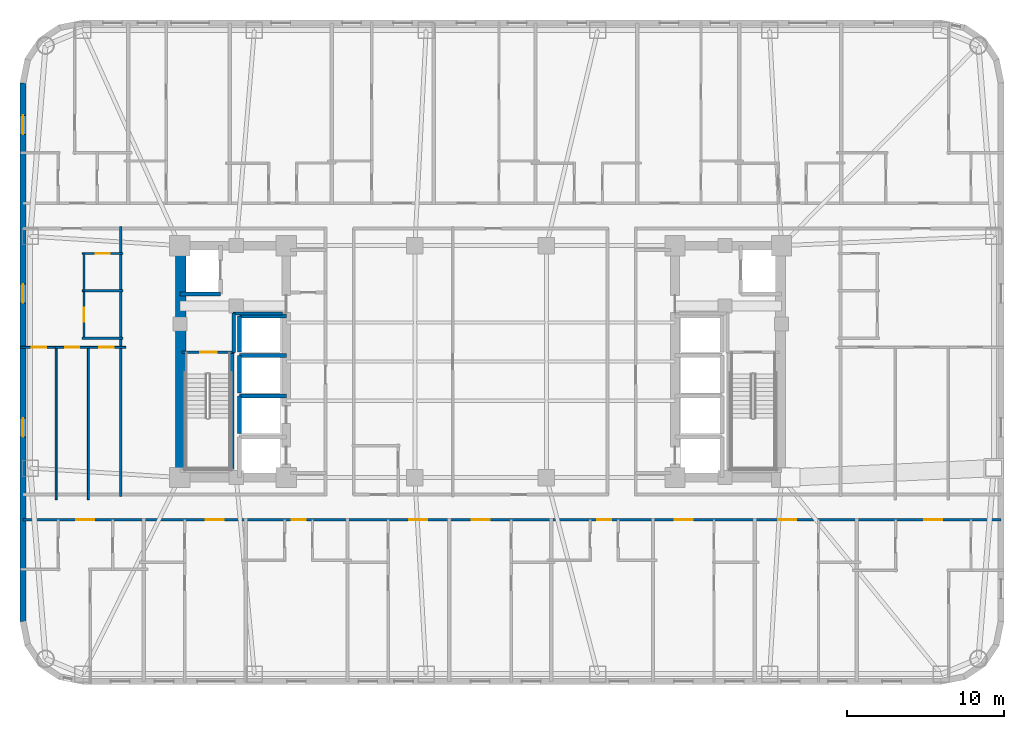
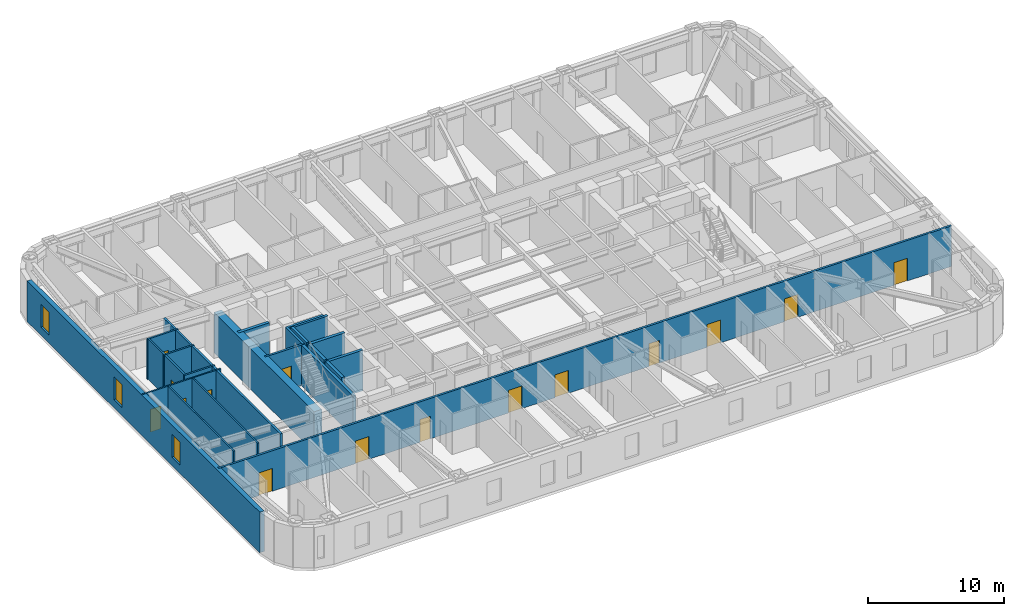
# One storey, part 5 of 12: 25 walls, 15 doors, 3 windows, 18 openings.
"""IFC4 building model written with IfcOpenShell, lengths in metres."""

from ifc_helpers import new_model, si_unit, direction, frame, frame_2d, origin, place, context, subcontext, project, spatial, rectangle, extrude, material, layer, layer_set, type_object, element, fill, save


model = new_model("IFC4")

# Units and contexts
model_context = context("Model", 3, precision=1e-05, world=origin(), true_north=direction((0.0, 1.0)))
body_context = subcontext(model_context, "Body", "Model", "MODEL_VIEW")
ifc_project = project(units=[si_unit("LENGTHUNIT", "METRE"), si_unit("AREAUNIT", "SQUARE_METRE"), si_unit("VOLUMEUNIT", "CUBIC_METRE"), si_unit("PLANEANGLEUNIT", "RADIAN"), si_unit("MASSUNIT", "GRAM", prefix="KILO")], contexts=[model_context])

# Site, building, storey
site_placement = place(None, origin())
site = spatial("IfcSite", under=ifc_project, at=site_placement, CompositionType="ELEMENT")
building_placement = place(site_placement, origin())
building = spatial("IfcBuilding", under=site, at=building_placement, Name="Voryun Gate Residences", CompositionType="ELEMENT")
storey_placement = place(building_placement, frame((0.0, 0.0, 128.699951171875)))
storey = spatial("IfcBuildingStorey", under=building, at=storey_placement, Name="L31", CompositionType="ELEMENT", Elevation=128.699951171875)

# Wall
ifc_material_1 = material(Name="Concrete C60/75", Category="concrete")
ifc_layer_1 = layer(ifc_material_1, 0.64990234375, Name="CW_CORE_650")
ifc_layer_set_1 = layer_set([ifc_layer_1], Name="Concrete C60/75")
wall_type_1 = type_object("IfcWallType", Name="CW_CORE_650", PredefinedType="SHEAR", material=ifc_layer_set_1)
wall_1_placement = place(storey_placement, frame((-19.14501953125, -7.39990234375, 0.0), z_axis=(0.0, 0.0, 1.0), x_axis=(0.0, 1.0, 0.0)))
element("IfcWall", 1, at=wall_1_placement, inside=storey, type_object=wall_type_1, Name="L31 Core shear wall CW-L31-WW", PredefinedType="SHEAR", context=body_context, shape_type="SweptSolid", body=[
    extrude(rectangle(XDim=14.7998046875, YDim=0.64990234375, at=frame_2d((7.39990234375, 0.0))), origin(), (0.0, 0.0, 1.0), 3.650146484375),
])

# Wall, opening, door
ifc_material_2 = material(Name="Gypsum acoustic fireboard")
ifc_layer_2 = layer(ifc_material_2, 0.179931640625, Name="W_CORR_RATED_180")
ifc_layer_set_2 = layer_set([ifc_layer_2], Name="Gypsum acoustic fireboard")
wall_type_2 = type_object("IfcWallType", Name="W_CORR_RATED_180", PredefinedType="PARTITIONING", material=ifc_layer_set_2)
wall_2_placement = place(storey_placement, frame((-19.06005859375, 0.60009765625, 0.0), z_axis=(0.0, 0.0, 1.0), x_axis=(1.0, 0.0, 0.0)))
wall_2 = element("IfcWall", 2, at=wall_2_placement, inside=storey, type_object=wall_type_2, Name="Partition wall WP-L31-STV-W", PredefinedType="PARTITIONING", context=body_context, shape_type="SweptSolid", body=[
    extrude(rectangle(XDim=3.360107421875, YDim=0.179931640625, at=frame_2d((1.68017578125, 0.0))), origin(), (0.0, 0.0, 1.0), 3.650146484375),
])
opening_1_placement = place(wall_2_placement, frame((1.155029296875, 0.0, 0.0)))
opening_1 = element("IfcOpeningElement", 3, at=opening_1_placement, cuts=wall_2, Name="Opening D-FD60-1", PredefinedType="OPENING", context=body_context, shape_type="SweptSolid", body=[
    extrude(rectangle(XDim=1.050048828125, YDim=2.050048828125, at=frame_2d((0.52490234375, 1.02490234375))), frame((0.0, 0.099853515625, 0.0), z_axis=(0.0, -1.0, 0.0), x_axis=(1.0, 0.0, 0.0)), (0.0, 0.0, 1.0), 0.199951171875),
])
ifc_material_3 = material(Name="Painted steel fire door", Category="steel")
door_type_1 = type_object("IfcDoorType", Name="DR_FD60_STAIR_1050", OperationType="NOTDEFINED", PredefinedType="DOOR", material=ifc_material_3)
door_1_placement = place(opening_1_placement, origin())
door_1 = element("IfcDoor", 4, at=door_1_placement, inside=storey, type_object=door_type_1, Name="Door DR-L31-ST-W", OperationType="SINGLE_SWING_LEFT", OverallHeight=2.050048828125, OverallWidth=1.050048828125, PredefinedType="DOOR", context=body_context, shape_type="SweptSolid", body=[
    extrude(rectangle(XDim=1.050048828125, YDim=2.050048828125, at=frame_2d((0.52490234375, 1.02490234375))), frame((0.0, 0.02490234375, 0.0), z_axis=(0.0, -1.0, 0.0), x_axis=(1.0, 0.0, 0.0)), (0.0, 0.0, 1.0), 0.050048828125),
])
fill(opening_1, door_1)

# Wall, openings, doors
wall_3_placement = place(storey_placement, frame((-29.2099609375, -10.10009765625, 0.0), z_axis=(0.0, 0.0, 1.0), x_axis=(1.0, 0.0, 0.0)))
wall_3 = element("IfcWall", 5, at=wall_3_placement, inside=storey, type_object=wall_type_2, Name="Partition wall WP-L31-SCORR", PredefinedType="PARTITIONING", context=body_context, shape_type="SweptSolid", body=[
    extrude(rectangle(XDim=62.419921875, YDim=0.179931640625, at=frame_2d((31.2099609375, 0.0))), origin(), (0.0, 0.0, 1.0), 3.650146484375),
])
opening_2_placement = place(wall_3_placement, frame((3.41357421875, 0.0, 0.0)))
opening_2 = element("IfcOpeningElement", 6, at=opening_2_placement, cuts=wall_3, Name="Opening D-UNIT-1", PredefinedType="OPENING", context=body_context, shape_type="SweptSolid", body=[
    extrude(rectangle(XDim=1.14990234375, YDim=2.050048828125, at=frame_2d((0.574951171875, 1.02490234375))), frame((0.0, 0.099853515625, 0.0), z_axis=(0.0, -1.0, 0.0), x_axis=(1.0, 0.0, 0.0)), (0.0, 0.0, 1.0), 0.199951171875),
])
opening_3_placement = place(wall_3_placement, frame((11.6591796875, 0.0, 0.0)))
opening_3 = element("IfcOpeningElement", 7, at=opening_3_placement, cuts=wall_3, Name="Opening D-UNIT-1", PredefinedType="OPENING", context=body_context, shape_type="SweptSolid", body=[
    extrude(rectangle(XDim=1.14990234375, YDim=2.050048828125, at=frame_2d((0.574951171875, 1.02490234375))), frame((0.0, 0.099853515625, 0.0), z_axis=(0.0, -1.0, 0.0), x_axis=(1.0, 0.0, 0.0)), (0.0, 0.0, 1.0), 0.199951171875),
])
opening_4_placement = place(wall_3_placement, frame((17.139892578125, 0.0, 0.0)))
opening_4 = element("IfcOpeningElement", 8, at=opening_4_placement, cuts=wall_3, Name="Opening D-INT-2", PredefinedType="OPENING", context=body_context, shape_type="SweptSolid", body=[
    extrude(rectangle(XDim=0.89990234375, YDim=2.050048828125, at=frame_2d((0.449951171875, 1.02490234375))), frame((0.0, 0.099853515625, 0.0), z_axis=(0.0, -1.0, 0.0), x_axis=(1.0, 0.0, 0.0)), (0.0, 0.0, 1.0), 0.199951171875),
])
opening_5_placement = place(wall_3_placement, frame((24.661376953125, 0.0, 0.0)))
opening_5 = element("IfcOpeningElement", 9, at=opening_5_placement, cuts=wall_3, Name="Opening D-UNIT-1", PredefinedType="OPENING", context=body_context, shape_type="SweptSolid", body=[
    extrude(rectangle(XDim=1.14990234375, YDim=2.050048828125, at=frame_2d((0.574951171875, 1.02490234375))), frame((0.0, 0.099853515625, 0.0), z_axis=(0.0, -1.0, 0.0), x_axis=(1.0, 0.0, 0.0)), (0.0, 0.0, 1.0), 0.199951171875),
])
opening_6_placement = place(wall_3_placement, frame((28.643798828125, 0.0, 0.0)))
opening_6 = element("IfcOpeningElement", 10, at=opening_6_placement, cuts=wall_3, Name="Opening D-UNIT-1", PredefinedType="OPENING", context=body_context, shape_type="SweptSolid", body=[
    extrude(rectangle(XDim=1.14990234375, YDim=2.050048828125, at=frame_2d((0.574951171875, 1.02490234375))), frame((0.0, 0.099853515625, 0.0), z_axis=(0.0, -1.0, 0.0), x_axis=(1.0, 0.0, 0.0)), (0.0, 0.0, 1.0), 0.199951171875),
])
opening_7_placement = place(wall_3_placement, frame((36.639892578125, 0.0, 0.0)))
opening_7 = element("IfcOpeningElement", 11, at=opening_7_placement, cuts=wall_3, Name="Opening D-INT-2", PredefinedType="OPENING", context=body_context, shape_type="SweptSolid", body=[
    extrude(rectangle(XDim=0.89990234375, YDim=2.050048828125, at=frame_2d((0.449951171875, 1.02490234375))), frame((0.0, 0.099853515625, 0.0), z_axis=(0.0, -1.0, 0.0), x_axis=(1.0, 0.0, 0.0)), (0.0, 0.0, 1.0), 0.199951171875),
])
opening_8_placement = place(wall_3_placement, frame((41.6083984375, 0.0, 0.0)))
opening_8 = element("IfcOpeningElement", 12, at=opening_8_placement, cuts=wall_3, Name="Opening D-UNIT-1", PredefinedType="OPENING", context=body_context, shape_type="SweptSolid", body=[
    extrude(rectangle(XDim=1.14990234375, YDim=2.050048828125, at=frame_2d((0.574951171875, 1.02490234375))), frame((0.0, 0.099853515625, 0.0), z_axis=(0.0, -1.0, 0.0), x_axis=(1.0, 0.0, 0.0)), (0.0, 0.0, 1.0), 0.199951171875),
])
opening_9_placement = place(wall_3_placement, frame((48.193603515625, 0.0, 0.0)))
opening_9 = element("IfcOpeningElement", 13, at=opening_9_placement, cuts=wall_3, Name="Opening D-UNIT-1", PredefinedType="OPENING", context=body_context, shape_type="SweptSolid", body=[
    extrude(rectangle(XDim=1.14990234375, YDim=2.050048828125, at=frame_2d((0.574951171875, 1.02490234375))), frame((0.0, 0.099853515625, 0.0), z_axis=(0.0, -1.0, 0.0), x_axis=(1.0, 0.0, 0.0)), (0.0, 0.0, 1.0), 0.199951171875),
])
opening_10_placement = place(wall_3_placement, frame((57.525390625, 0.0, 0.0)))
opening_10 = element("IfcOpeningElement", 14, at=opening_10_placement, cuts=wall_3, Name="Opening D-UNIT-1", PredefinedType="OPENING", context=body_context, shape_type="SweptSolid", body=[
    extrude(rectangle(XDim=1.14990234375, YDim=2.050048828125, at=frame_2d((0.574951171875, 1.02490234375))), frame((0.0, 0.099853515625, 0.0), z_axis=(0.0, -1.0, 0.0), x_axis=(1.0, 0.0, 0.0)), (0.0, 0.0, 1.0), 0.199951171875),
])
ifc_material_4 = material(Name="Architectural oak veneer")
door_type_2 = type_object("IfcDoorType", Name="DR_INT_BATH_900", OperationType="NOTDEFINED", PredefinedType="DOOR", material=ifc_material_4)
door_2_placement = place(opening_4_placement, origin())
door_2 = element("IfcDoor", 15, at=door_2_placement, inside=storey, type_object=door_type_2, Name="Door DR-L31-SENT-3", OperationType="SINGLE_SWING_RIGHT", OverallHeight=2.050048828125, OverallWidth=0.89990234375, PredefinedType="DOOR", context=body_context, shape_type="SweptSolid", body=[
    extrude(rectangle(XDim=0.89990234375, YDim=2.050048828125, at=frame_2d((0.449951171875, 1.02490234375))), frame((0.0, 0.02490234375, 0.0), z_axis=(0.0, -1.0, 0.0), x_axis=(1.0, 0.0, 0.0)), (0.0, 0.0, 1.0), 0.050048828125),
])
fill(opening_4, door_2)
door_3_placement = place(opening_7_placement, origin())
door_3 = element("IfcDoor", 16, at=door_3_placement, inside=storey, type_object=door_type_2, Name="Door DR-L31-SENT-6", OperationType="SINGLE_SWING_LEFT", OverallHeight=2.050048828125, OverallWidth=0.89990234375, PredefinedType="DOOR", context=body_context, shape_type="SweptSolid", body=[
    extrude(rectangle(XDim=0.89990234375, YDim=2.050048828125, at=frame_2d((0.449951171875, 1.02490234375))), frame((0.0, 0.02490234375, 0.0), z_axis=(0.0, -1.0, 0.0), x_axis=(1.0, 0.0, 0.0)), (0.0, 0.0, 1.0), 0.050048828125),
])
fill(opening_7, door_3)
ifc_material_5 = material(Name="Armoured timber-clad fire door", Category="wood")
door_type_3 = type_object("IfcDoorType", Name="DR_UNIT_ENTRY_1150", OperationType="NOTDEFINED", PredefinedType="DOOR", material=ifc_material_5)
door_4_placement = place(opening_2_placement, origin())
door_4 = element("IfcDoor", 17, at=door_4_placement, inside=storey, type_object=door_type_3, Name="Door DR-L31-SENT-1", OperationType="SINGLE_SWING_RIGHT", OverallHeight=2.050048828125, OverallWidth=1.14990234375, PredefinedType="DOOR", context=body_context, shape_type="SweptSolid", body=[
    extrude(rectangle(XDim=1.14990234375, YDim=2.050048828125, at=frame_2d((0.574951171875, 1.02490234375))), frame((0.0, 0.02490234375, 0.0), z_axis=(0.0, -1.0, 0.0), x_axis=(1.0, 0.0, 0.0)), (0.0, 0.0, 1.0), 0.050048828125),
])
fill(opening_2, door_4)
door_5_placement = place(opening_3_placement, origin())
door_5 = element("IfcDoor", 18, at=door_5_placement, inside=storey, type_object=door_type_3, Name="Door DR-L31-SENT-2", OperationType="SINGLE_SWING_LEFT", OverallHeight=2.050048828125, OverallWidth=1.14990234375, PredefinedType="DOOR", context=body_context, shape_type="SweptSolid", body=[
    extrude(rectangle(XDim=1.14990234375, YDim=2.050048828125, at=frame_2d((0.574951171875, 1.02490234375))), frame((0.0, 0.02490234375, 0.0), z_axis=(0.0, -1.0, 0.0), x_axis=(1.0, 0.0, 0.0)), (0.0, 0.0, 1.0), 0.050048828125),
])
fill(opening_3, door_5)
door_6_placement = place(opening_5_placement, origin())
door_6 = element("IfcDoor", 19, at=door_6_placement, inside=storey, type_object=door_type_3, Name="Door DR-L31-SENT-4", OperationType="SINGLE_SWING_LEFT", OverallHeight=2.050048828125, OverallWidth=1.14990234375, PredefinedType="DOOR", context=body_context, shape_type="SweptSolid", body=[
    extrude(rectangle(XDim=1.14990234375, YDim=2.050048828125, at=frame_2d((0.574951171875, 1.02490234375))), frame((0.0, 0.02490234375, 0.0), z_axis=(0.0, -1.0, 0.0), x_axis=(1.0, 0.0, 0.0)), (0.0, 0.0, 1.0), 0.050048828125),
])
fill(opening_5, door_6)
door_7_placement = place(opening_6_placement, origin())
door_7 = element("IfcDoor", 20, at=door_7_placement, inside=storey, type_object=door_type_3, Name="Door DR-L31-SENT-5", OperationType="SINGLE_SWING_RIGHT", OverallHeight=2.050048828125, OverallWidth=1.14990234375, PredefinedType="DOOR", context=body_context, shape_type="SweptSolid", body=[
    extrude(rectangle(XDim=1.14990234375, YDim=2.050048828125, at=frame_2d((0.574951171875, 1.02490234375))), frame((0.0, 0.02490234375, 0.0), z_axis=(0.0, -1.0, 0.0), x_axis=(1.0, 0.0, 0.0)), (0.0, 0.0, 1.0), 0.050048828125),
])
fill(opening_6, door_7)
door_8_placement = place(opening_8_placement, origin())
door_8 = element("IfcDoor", 21, at=door_8_placement, inside=storey, type_object=door_type_3, Name="Door DR-L31-SENT-7", OperationType="SINGLE_SWING_RIGHT", OverallHeight=2.050048828125, OverallWidth=1.14990234375, PredefinedType="DOOR", context=body_context, shape_type="SweptSolid", body=[
    extrude(rectangle(XDim=1.14990234375, YDim=2.050048828125, at=frame_2d((0.574951171875, 1.02490234375))), frame((0.0, 0.02490234375, 0.0), z_axis=(0.0, -1.0, 0.0), x_axis=(1.0, 0.0, 0.0)), (0.0, 0.0, 1.0), 0.050048828125),
])
fill(opening_8, door_8)
door_9_placement = place(opening_9_placement, origin())
door_9 = element("IfcDoor", 22, at=door_9_placement, inside=storey, type_object=door_type_3, Name="Door DR-L31-SENT-8", OperationType="SINGLE_SWING_LEFT", OverallHeight=2.050048828125, OverallWidth=1.14990234375, PredefinedType="DOOR", context=body_context, shape_type="SweptSolid", body=[
    extrude(rectangle(XDim=1.14990234375, YDim=2.050048828125, at=frame_2d((0.574951171875, 1.02490234375))), frame((0.0, 0.02490234375, 0.0), z_axis=(0.0, -1.0, 0.0), x_axis=(1.0, 0.0, 0.0)), (0.0, 0.0, 1.0), 0.050048828125),
])
fill(opening_9, door_9)
door_10_placement = place(opening_10_placement, origin())
door_10 = element("IfcDoor", 23, at=door_10_placement, inside=storey, type_object=door_type_3, Name="Door DR-L31-SENT-9", OperationType="SINGLE_SWING_RIGHT", OverallHeight=2.050048828125, OverallWidth=1.14990234375, PredefinedType="DOOR", context=body_context, shape_type="SweptSolid", body=[
    extrude(rectangle(XDim=1.14990234375, YDim=2.050048828125, at=frame_2d((0.574951171875, 1.02490234375))), frame((0.0, 0.02490234375, 0.0), z_axis=(0.0, -1.0, 0.0), x_axis=(1.0, 0.0, 0.0)), (0.0, 0.0, 1.0), 0.050048828125),
])
fill(opening_10, door_10)

# Wall
wall_4_placement = place(storey_placement, frame((-22.969970703125, -8.610107421875, 0.0), z_axis=(0.0, 0.0, 1.0), x_axis=(0.0, 1.0, 0.0)))
element("IfcWall", 24, at=wall_4_placement, inside=storey, type_object=wall_type_2, Name="Partition wall WP-L31-WCOR", PredefinedType="PARTITIONING", context=body_context, shape_type="SweptSolid", body=[
    extrude(rectangle(XDim=17.22021484375, YDim=0.179931640625, at=frame_2d((8.610107421875, 0.0))), origin(), (0.0, 0.0, 1.0), 3.650146484375),
])

# Wall, openings, windows
ifc_material_6 = material(Name="Granite masonry", Category="masonry")
ifc_layer_3 = layer(ifc_material_6, 0.3798828125, Name="W_EXT_GRANITE_380")
ifc_layer_set_3 = layer_set([ifc_layer_3], Name="Granite masonry")
wall_type_3 = type_object("IfcWallType", Name="W_EXT_GRANITE_380", PredefinedType="ELEMENTEDWALL", material=ifc_layer_set_3)
wall_5_placement = place(storey_placement, frame((-29.2099609375, -16.581298828125, 0.0), z_axis=(0.0, 0.0, 1.0), x_axis=(0.0, 1.0, 0.0)))
wall_5 = element("IfcWall", 25, at=wall_5_placement, inside=storey, type_object=wall_type_3, Name="Exterior wall WEXT-L31-06", PredefinedType="ELEMENTEDWALL", context=body_context, shape_type="SweptSolid", body=[
    extrude(rectangle(XDim=34.362548828125, YDim=0.3798828125, at=frame_2d((17.18115234375, 0.0))), origin(), (0.0, 0.0, 1.0), 3.650146484375),
])
opening_11_placement = place(wall_5_placement, frame((31.0869140625, 0.0, 0.75)))
opening_11 = element("IfcOpeningElement", 26, at=opening_11_placement, cuts=wall_5, Name="Opening WN6", PredefinedType="OPENING", context=body_context, shape_type="SweptSolid", body=[
    extrude(rectangle(XDim=1.199951171875, YDim=2.050048828125, at=frame_2d((0.60009765625, 1.02490234375))), frame((0.0, 0.199951171875, 0.0), z_axis=(0.0, -1.0, 0.0), x_axis=(1.0, 0.0, 0.0)), (0.0, 0.0, 1.0), 0.39990234375),
])
opening_12_placement = place(wall_5_placement, frame((20.326416015625, 0.0, 0.75)))
opening_12 = element("IfcOpeningElement", 27, at=opening_12_placement, cuts=wall_5, Name="Opening WN6", PredefinedType="OPENING", context=body_context, shape_type="SweptSolid", body=[
    extrude(rectangle(XDim=1.199951171875, YDim=2.050048828125, at=frame_2d((0.60009765625, 1.02490234375))), frame((0.0, 0.199951171875, 0.0), z_axis=(0.0, -1.0, 0.0), x_axis=(1.0, 0.0, 0.0)), (0.0, 0.0, 1.0), 0.39990234375),
])
opening_13_placement = place(wall_5_placement, frame((11.7763671875, 0.0, 0.75)))
opening_13 = element("IfcOpeningElement", 28, at=opening_13_placement, cuts=wall_5, Name="Opening WN6", PredefinedType="OPENING", context=body_context, shape_type="SweptSolid", body=[
    extrude(rectangle(XDim=1.199951171875, YDim=2.050048828125, at=frame_2d((0.60009765625, 1.02490234375))), frame((0.0, 0.199951171875, 0.0), z_axis=(0.0, -1.0, 0.0), x_axis=(1.0, 0.0, 0.0)), (0.0, 0.0, 1.0), 0.39990234375),
])
ifc_material_7 = material(Name="Laminated low-E glass", Category="glass")
window_type = type_object("IfcWindowType", Name="WN_POD_SLOT_1200", PartitioningType="SINGLE_PANEL", PredefinedType="WINDOW", material=ifc_material_7)
window_1_placement = place(opening_11_placement, origin())
window_1 = element("IfcWindow", 29, at=window_1_placement, inside=storey, type_object=window_type, Name="Window WN-L31-DWFIX-01", OverallHeight=2.050048828125, OverallWidth=1.199951171875, PartitioningType="SINGLE_PANEL", PredefinedType="WINDOW", context=body_context, shape_type="SweptSolid", body=[
    extrude(rectangle(XDim=1.199951171875, YDim=2.050048828125, at=frame_2d((0.60009765625, 1.02490234375))), frame((0.0, 0.030029296875, 0.0), z_axis=(0.0, -1.0, 0.0), x_axis=(1.0, 0.0, 0.0)), (0.0, 0.0, 1.0), 0.06005859375),
])
fill(opening_11, window_1)
window_2_placement = place(opening_12_placement, origin())
window_2 = element("IfcWindow", 30, at=window_2_placement, inside=storey, type_object=window_type, Name="Window WN-L31-DWFIX-29", OverallHeight=2.050048828125, OverallWidth=1.199951171875, PartitioningType="SINGLE_PANEL", PredefinedType="WINDOW", context=body_context, shape_type="SweptSolid", body=[
    extrude(rectangle(XDim=1.199951171875, YDim=2.050048828125, at=frame_2d((0.60009765625, 1.02490234375))), frame((0.0, 0.030029296875, 0.0), z_axis=(0.0, -1.0, 0.0), x_axis=(1.0, 0.0, 0.0)), (0.0, 0.0, 1.0), 0.06005859375),
])
fill(opening_12, window_2)
window_3_placement = place(opening_13_placement, origin())
window_3 = element("IfcWindow", 31, at=window_3_placement, inside=storey, type_object=window_type, Name="Window WN-L31-DWFIX-30", OverallHeight=2.050048828125, OverallWidth=1.199951171875, PartitioningType="SINGLE_PANEL", PredefinedType="WINDOW", context=body_context, shape_type="SweptSolid", body=[
    extrude(rectangle(XDim=1.199951171875, YDim=2.050048828125, at=frame_2d((0.60009765625, 1.02490234375))), frame((0.0, 0.030029296875, 0.0), z_axis=(0.0, -1.0, 0.0), x_axis=(1.0, 0.0, 0.0)), (0.0, 0.0, 1.0), 0.06005859375),
])
fill(opening_13, window_3)

# Walls
ifc_material_8 = material(Name="Concrete C40/50", Category="concrete")
ifc_layer_4 = layer(ifc_material_8, 0.199951171875, Name="W_FF_LOBBY_200")
ifc_layer_set_4 = layer_set([ifc_layer_4], Name="Concrete C40/50")
wall_type_4 = type_object("IfcWallType", Name="W_FF_LOBBY_200", PredefinedType="PARTITIONING", material=ifc_layer_set_4)
wall_6_placement = place(storey_placement, frame((-15.760009765625, 0.580078125, 0.0), z_axis=(0.0, 0.0, 1.0), x_axis=(0.0, 1.0, 0.0)))
element("IfcWall", 32, at=wall_6_placement, inside=storey, type_object=wall_type_4, Name="Partition wall WP-L31-FFP0-W", PredefinedType="PARTITIONING", context=body_context, shape_type="SweptSolid", body=[
    extrude(rectangle(XDim=2.52001953125, YDim=0.199951171875, at=frame_2d((1.260009765625, 0.0))), origin(), (0.0, 0.0, 1.0), 3.650146484375),
])
wall_7_placement = place(storey_placement, frame((-15.820068359375, 3.06005859375, 0.0), z_axis=(0.0, 0.0, 1.0), x_axis=(1.0, 0.0, 0.0)))
element("IfcWall", 33, at=wall_7_placement, inside=storey, type_object=wall_type_4, Name="Partition wall WP-L31-FFPS-W", PredefinedType="PARTITIONING", context=body_context, shape_type="SweptSolid", body=[
    extrude(rectangle(XDim=3.16015625, YDim=0.199951171875, at=frame_2d((1.580078125, 0.0))), origin(), (0.0, 0.0, 1.0), 3.650146484375),
])
ifc_material_9 = material(Name="Concrete C50/60", Category="concrete")
ifc_layer_5 = layer(ifc_material_9, 0.25, Name="W_SHAFT_RC250")
ifc_layer_set_5 = layer_set([ifc_layer_5], Name="Concrete C50/60")
wall_type_5 = type_object("IfcWallType", Name="W_SHAFT_RC250", PredefinedType="SOLIDWALL", material=ifc_layer_set_5)
wall_8_placement = place(storey_placement, frame((-15.860107421875, -7.0849609375, 0.0), z_axis=(0.0, 0.0, 1.0), x_axis=(0.0, 1.0, 0.0)))
element("IfcWall", 34, at=wall_8_placement, inside=storey, type_object=wall_type_5, Name="L31 Stair shaft structural wall W-STR", PredefinedType="SOLIDWALL", context=body_context, shape_type="SweptSolid", body=[
    extrude(rectangle(XDim=7.68505859375, YDim=0.25, at=frame_2d((3.842529296875, 0.0))), origin(), (0.0, 0.0, 1.0), 3.650146484375),
])
wall_9_placement = place(storey_placement, frame((-19.199951171875, 4.300048828125, 0.0), z_axis=(0.0, 0.0, 1.0), x_axis=(1.0, 0.0, 0.0)))
element("IfcWall", 35, at=wall_9_placement, inside=storey, type_object=wall_type_5, Name="Lift shaft wall WSH-L31-EL-FF-W1-S", PredefinedType="SOLIDWALL", context=body_context, shape_type="SweptSolid", body=[
    extrude(rectangle(XDim=2.599853515625, YDim=0.25, at=frame_2d((1.2998046875, 0.0))), origin(), (0.0, 0.0, 1.0), 3.650146484375),
])
wall_10_placement = place(storey_placement, frame((-12.39990234375, -2.199951171875, 0.0), z_axis=(0.0, 0.0, 1.0), x_axis=(-1.0, 0.0, 0.0)))
element("IfcWall", 36, at=wall_10_placement, inside=storey, type_object=wall_type_5, Name="Lift shaft wall WSH-L31-EL-P2-N", PredefinedType="SOLIDWALL", context=body_context, shape_type="SweptSolid", body=[
    extrude(rectangle(XDim=3.0, YDim=0.25, at=frame_2d((1.5, 0.0))), origin(), (0.0, 0.0, 1.0), 3.650146484375),
])
wall_11_placement = place(storey_placement, frame((-15.39990234375, -2.199951171875, 0.0), z_axis=(0.0, 0.0, 1.0), x_axis=(0.0, -1.0, 0.0)))
element("IfcWall", 37, at=wall_11_placement, inside=storey, type_object=wall_type_5, Name="Lift shaft wall WSH-L31-EL-P2-W", PredefinedType="SOLIDWALL", context=body_context, shape_type="SweptSolid", body=[
    extrude(rectangle(XDim=2.400146484375, YDim=0.25, at=frame_2d((1.2001953125, 0.0))), origin(), (0.0, 0.0, 1.0), 3.650146484375),
])
wall_12_placement = place(storey_placement, frame((-12.39990234375, 0.39990234375, 0.0), z_axis=(0.0, 0.0, 1.0), x_axis=(-1.0, 0.0, 0.0)))
element("IfcWall", 38, at=wall_12_placement, inside=storey, type_object=wall_type_5, Name="Lift shaft wall WSH-L31-EL-P4-N", PredefinedType="SOLIDWALL", context=body_context, shape_type="SweptSolid", body=[
    extrude(rectangle(XDim=3.0, YDim=0.25, at=frame_2d((1.5, 0.0))), origin(), (0.0, 0.0, 1.0), 3.650146484375),
])
wall_13_placement = place(storey_placement, frame((-15.39990234375, 0.39990234375, 0.0), z_axis=(0.0, 0.0, 1.0), x_axis=(0.0, -1.0, 0.0)))
element("IfcWall", 39, at=wall_13_placement, inside=storey, type_object=wall_type_5, Name="Lift shaft wall WSH-L31-EL-P4-W", PredefinedType="SOLIDWALL", context=body_context, shape_type="SweptSolid", body=[
    extrude(rectangle(XDim=2.39990234375, YDim=0.25, at=frame_2d((1.199951171875, 0.0))), origin(), (0.0, 0.0, 1.0), 3.650146484375),
])
wall_14_placement = place(storey_placement, frame((-12.39990234375, 2.89990234375, 0.0), z_axis=(0.0, 0.0, 1.0), x_axis=(-1.0, 0.0, 0.0)))
element("IfcWall", 40, at=wall_14_placement, inside=storey, type_object=wall_type_5, Name="Lift shaft wall WSH-L31-EL-P7-N", PredefinedType="SOLIDWALL", context=body_context, shape_type="SweptSolid", body=[
    extrude(rectangle(XDim=3.0, YDim=0.25, at=frame_2d((1.5, 0.0))), origin(), (0.0, 0.0, 1.0), 3.650146484375),
])
wall_15_placement = place(storey_placement, frame((-15.39990234375, 2.89990234375, 0.0), z_axis=(0.0, 0.0, 1.0), x_axis=(0.0, -1.0, 0.0)))
element("IfcWall", 41, at=wall_15_placement, inside=storey, type_object=wall_type_5, Name="Lift shaft wall WSH-L31-EL-P7-W", PredefinedType="SOLIDWALL", context=body_context, shape_type="SweptSolid", body=[
    extrude(rectangle(XDim=2.2998046875, YDim=0.25, at=frame_2d((1.14990234375, 0.0))), origin(), (0.0, 0.0, 1.0), 3.650146484375),
])

# Wall, opening, door
ifc_material_10 = material(Name="Gypsum acoustic partition")
ifc_layer_6 = layer(ifc_material_10, 0.125, Name="W_UNIT_PART_125")
ifc_layer_set_6 = layer_set([ifc_layer_6], Name="Gypsum acoustic partition")
wall_type_6 = type_object("IfcWallType", Name="W_UNIT_PART_125", PredefinedType="PARTITIONING", material=ifc_layer_set_6)
wall_16_placement = place(storey_placement, frame((-29.360107421875, 0.909912109375, 0.0), z_axis=(0.0, 0.0, 1.0), x_axis=(1.0, 0.0, 0.0)))
wall_16 = element("IfcWall", 42, at=wall_16_placement, inside=storey, type_object=wall_type_6, Name="Partition wall WP-L31-W1-HZMB1", PredefinedType="PARTITIONING", context=body_context, shape_type="SweptSolid", body=[
    extrude(rectangle(XDim=2.32958984375, YDim=0.125, at=frame_2d((1.164794921875, 0.0))), origin(), (0.0, 0.0, 1.0), 3.650146484375),
])
opening_14_placement = place(wall_16_placement, frame((0.723388671875, 0.0, 0.0)))
opening_14 = element("IfcOpeningElement", 43, at=opening_14_placement, cuts=wall_16, Name="Opening D-INT-2", PredefinedType="OPENING", context=body_context, shape_type="SweptSolid", body=[
    extrude(rectangle(XDim=0.89990234375, YDim=2.050048828125, at=frame_2d((0.449951171875, 1.02490234375))), frame((0.0, 0.072509765625, 0.0), z_axis=(0.0, -1.0, 0.0), x_axis=(1.0, 0.0, 0.0)), (0.0, 0.0, 1.0), 0.14501953125),
])
door_11_placement = place(opening_14_placement, origin())
door_11 = element("IfcDoor", 44, at=door_11_placement, inside=storey, type_object=door_type_2, Name="Door DR-L31-W1-DMB", OperationType="SINGLE_SWING_LEFT", OverallHeight=2.050048828125, OverallWidth=0.89990234375, PredefinedType="DOOR", context=body_context, shape_type="SweptSolid", body=[
    extrude(rectangle(XDim=0.89990234375, YDim=2.050048828125, at=frame_2d((0.449951171875, 1.02490234375))), frame((0.0, 0.02490234375, 0.0), z_axis=(0.0, -1.0, 0.0), x_axis=(1.0, 0.0, 0.0)), (0.0, 0.0, 1.0), 0.050048828125),
])
fill(opening_14, door_11)

wall_17_placement = place(storey_placement, frame((-27.155517578125, 0.909912109375, 0.0), z_axis=(0.0, 0.0, 1.0), x_axis=(1.0, 0.0, 0.0)))
wall_17 = element("IfcWall", 45, at=wall_17_placement, inside=storey, type_object=wall_type_6, Name="Partition wall WP-L31-W1-HZMB2", PredefinedType="PARTITIONING", context=body_context, shape_type="SweptSolid", body=[
    extrude(rectangle(XDim=2.18603515625, YDim=0.125, at=frame_2d((1.093017578125, 0.0))), origin(), (0.0, 0.0, 1.0), 3.650146484375),
])
opening_15_placement = place(wall_17_placement, frame((0.64306640625, 0.0, 0.0)))
opening_15 = element("IfcOpeningElement", 46, at=opening_15_placement, cuts=wall_17, Name="Opening D-INT-2", PredefinedType="OPENING", context=body_context, shape_type="SweptSolid", body=[
    extrude(rectangle(XDim=0.89990234375, YDim=2.050048828125, at=frame_2d((0.449951171875, 1.02490234375))), frame((0.0, 0.072509765625, 0.0), z_axis=(0.0, -1.0, 0.0), x_axis=(1.0, 0.0, 0.0)), (0.0, 0.0, 1.0), 0.14501953125),
])
door_12_placement = place(opening_15_placement, origin())
door_12 = element("IfcDoor", 47, at=door_12_placement, inside=storey, type_object=door_type_2, Name="Door DR-L31-W1-DBD2", OperationType="SINGLE_SWING_RIGHT", OverallHeight=2.050048828125, OverallWidth=0.89990234375, PredefinedType="DOOR", context=body_context, shape_type="SweptSolid", body=[
    extrude(rectangle(XDim=0.89990234375, YDim=2.050048828125, at=frame_2d((0.449951171875, 1.02490234375))), frame((0.0, 0.02490234375, 0.0), z_axis=(0.0, -1.0, 0.0), x_axis=(1.0, 0.0, 0.0)), (0.0, 0.0, 1.0), 0.050048828125),
])
fill(opening_15, door_12)

wall_18_placement = place(storey_placement, frame((-25.094482421875, 0.909912109375, 0.0), z_axis=(0.0, 0.0, 1.0), x_axis=(1.0, 0.0, 0.0)))
wall_18 = element("IfcWall", 48, at=wall_18_placement, inside=storey, type_object=wall_type_6, Name="Partition wall WP-L31-W1-HZMB3", PredefinedType="PARTITIONING", context=body_context, shape_type="SweptSolid", body=[
    extrude(rectangle(XDim=2.444580078125, YDim=0.125, at=frame_2d((1.22216796875, 0.0))), origin(), (0.0, 0.0, 1.0), 3.650146484375),
])
opening_16_placement = place(wall_18_placement, frame((0.763427734375, 0.0, 0.0)))
opening_16 = element("IfcOpeningElement", 49, at=opening_16_placement, cuts=wall_18, Name="Opening D-INT-2", PredefinedType="OPENING", context=body_context, shape_type="SweptSolid", body=[
    extrude(rectangle(XDim=0.89990234375, YDim=2.050048828125, at=frame_2d((0.449951171875, 1.02490234375))), frame((0.0, 0.072509765625, 0.0), z_axis=(0.0, -1.0, 0.0), x_axis=(1.0, 0.0, 0.0)), (0.0, 0.0, 1.0), 0.14501953125),
])
door_13_placement = place(opening_16_placement, origin())
door_13 = element("IfcDoor", 50, at=door_13_placement, inside=storey, type_object=door_type_2, Name="Door DR-L31-W1-DBD3", OperationType="SINGLE_SWING_LEFT", OverallHeight=2.050048828125, OverallWidth=0.89990234375, PredefinedType="DOOR", context=body_context, shape_type="SweptSolid", body=[
    extrude(rectangle(XDim=0.89990234375, YDim=2.050048828125, at=frame_2d((0.449951171875, 1.02490234375))), frame((0.0, 0.02490234375, 0.0), z_axis=(0.0, -1.0, 0.0), x_axis=(1.0, 0.0, 0.0)), (0.0, 0.0, 1.0), 0.050048828125),
])
fill(opening_16, door_13)

# Walls
for number, where, z_axis, x_axis, name in (
    (51, (-25.031982421875, -8.81005859375, 0.0), (0.0, 0.0, 1.0), (0.0, 1.0, 0.0), "Partition wall WP-L31-W1-VMB2"),
    (52, (-27.093017578125, -8.81005859375, 0.0), (0.0, 0.0, 1.0), (0.0, 1.0, 0.0), "Partition wall WP-L31-W1-VMB"),
):
    element("IfcWall", number, at=place(storey_placement, frame(where, z_axis=z_axis, x_axis=x_axis)), inside=storey, type_object=wall_type_6, Name=name, PredefinedType="PARTITIONING", context=body_context, shape_type="SweptSolid", body=[
        extrude(rectangle(XDim=9.780029296875, YDim=0.125, at=frame_2d((4.89013671875, 0.0))), origin(), (0.0, 0.0, 1.0), 3.650146484375),
    ])

# Wall, opening, door
ifc_material_11 = material(Name="Gypsum moisture-resistant partition")
ifc_layer_7 = layer(ifc_material_11, 0.14990234375, Name="W_WET_PLUMB_150")
ifc_layer_set_7 = layer_set([ifc_layer_7], Name="Gypsum moisture-resistant partition")
wall_type_7 = type_object("IfcWallType", Name="W_WET_PLUMB_150", PredefinedType="PLUMBINGWALL", material=ifc_layer_set_7)
wall_19_placement = place(storey_placement, frame((-25.43994140625, 6.89990234375, 0.0), z_axis=(0.0, 0.0, 1.0), x_axis=(1.0, 0.0, 0.0)))
wall_19 = element("IfcWall", 53, at=wall_19_placement, inside=storey, type_object=wall_type_7, Name="Partition wall WP-L31-W1-IBT", PredefinedType="PLUMBINGWALL", context=body_context, shape_type="SweptSolid", body=[
    extrude(rectangle(XDim=2.619873046875, YDim=0.14990234375, at=frame_2d((1.31005859375, 0.0))), origin(), (0.0, 0.0, 1.0), 3.650146484375),
])
opening_17_placement = place(wall_19_placement, frame((0.860107421875, 0.0, 0.0)))
opening_17 = element("IfcOpeningElement", 54, at=opening_17_placement, cuts=wall_19, Name="Opening D-INT-2", PredefinedType="OPENING", context=body_context, shape_type="SweptSolid", body=[
    extrude(rectangle(XDim=0.89990234375, YDim=2.050048828125, at=frame_2d((0.449951171875, 1.02490234375))), frame((0.0, 0.0849609375, 0.0), z_axis=(0.0, -1.0, 0.0), x_axis=(1.0, 0.0, 0.0)), (0.0, 0.0, 1.0), 0.169921875),
])
door_14_placement = place(opening_17_placement, origin())
door_14 = element("IfcDoor", 55, at=door_14_placement, inside=storey, type_object=door_type_2, Name="Door DR-L31-W1-DK", OperationType="SINGLE_SWING_LEFT", OverallHeight=2.050048828125, OverallWidth=0.89990234375, PredefinedType="DOOR", context=body_context, shape_type="SweptSolid", body=[
    extrude(rectangle(XDim=0.89990234375, YDim=2.050048828125, at=frame_2d((0.449951171875, 1.02490234375))), frame((0.0, 0.02490234375, 0.0), z_axis=(0.0, -1.0, 0.0), x_axis=(1.0, 0.0, 0.0)), (0.0, 0.0, 1.0), 0.050048828125),
])
fill(opening_17, door_14)

# Walls
for number, where, z_axis, x_axis, name in (
    (56, (-25.43994140625, 4.52001953125, 0.0), (0.0, 0.0, 1.0), (1.0, 0.0, 0.0), "Partition wall WP-L31-W1-IKB"),
    (57, (-25.43994140625, 1.5, 0.0), (0.0, 0.0, 1.0), (1.0, 0.0, 0.0), "Partition wall WP-L31-W1-IBB"),
):
    element("IfcWall", number, at=place(storey_placement, frame(where, z_axis=z_axis, x_axis=x_axis)), inside=storey, type_object=wall_type_7, Name=name, PredefinedType="PLUMBINGWALL", context=body_context, shape_type="SweptSolid", body=[
        extrude(rectangle(XDim=2.619873046875, YDim=0.14990234375, at=frame_2d((1.31005859375, 0.0))), origin(), (0.0, 0.0, 1.0), 3.650146484375),
    ])

# Wall, opening, door
wall_20_placement = place(storey_placement, frame((-25.320068359375, 1.43994140625, 0.0), z_axis=(0.0, 0.0, 1.0), x_axis=(0.0, 1.0, 0.0)))
wall_20 = element("IfcWall", 58, at=wall_20_placement, inside=storey, type_object=wall_type_7, Name="Partition wall WP-L31-W1-VTSK1", PredefinedType="PLUMBINGWALL", context=body_context, shape_type="SweptSolid", body=[
    extrude(rectangle(XDim=3.1201171875, YDim=0.14990234375, at=frame_2d((1.56005859375, 0.0))), origin(), (0.0, 0.0, 1.0), 3.650146484375),
])
opening_18_placement = place(wall_20_placement, frame((1.110107421875, 0.0, 0.0)))
opening_18 = element("IfcOpeningElement", 59, at=opening_18_placement, cuts=wall_20, Name="Opening D-INT-2", PredefinedType="OPENING", context=body_context, shape_type="SweptSolid", body=[
    extrude(rectangle(XDim=0.89990234375, YDim=2.050048828125, at=frame_2d((0.449951171875, 1.02490234375))), frame((0.0, 0.0849609375, 0.0), z_axis=(0.0, -1.0, 0.0), x_axis=(1.0, 0.0, 0.0)), (0.0, 0.0, 1.0), 0.169921875),
])
door_15_placement = place(opening_18_placement, origin())
door_15 = element("IfcDoor", 60, at=door_15_placement, inside=storey, type_object=door_type_2, Name="Door DR-L31-W1-DB", OperationType="SINGLE_SWING_RIGHT", OverallHeight=2.050048828125, OverallWidth=0.89990234375, PredefinedType="DOOR", context=body_context, shape_type="SweptSolid", body=[
    extrude(rectangle(XDim=0.89990234375, YDim=2.050048828125, at=frame_2d((0.449951171875, 1.02490234375))), frame((0.0, 0.02490234375, 0.0), z_axis=(0.0, -1.0, 0.0), x_axis=(1.0, 0.0, 0.0)), (0.0, 0.0, 1.0), 0.050048828125),
])
fill(opening_18, door_15)

# Wall
wall_21_placement = place(storey_placement, frame((-25.320068359375, 4.47998046875, 0.0), z_axis=(0.0, 0.0, 1.0), x_axis=(0.0, 1.0, 0.0)))
element("IfcWall", 61, at=wall_21_placement, inside=storey, type_object=wall_type_7, Name="Partition wall WP-L31-W1-VTSK2", PredefinedType="PLUMBINGWALL", context=body_context, shape_type="SweptSolid", body=[
    extrude(rectangle(XDim=2.47998046875, YDim=0.14990234375, at=frame_2d((1.239990234375, 0.0))), origin(), (0.0, 0.0, 1.0), 3.650146484375),
])

save(model, "model.ifc")
